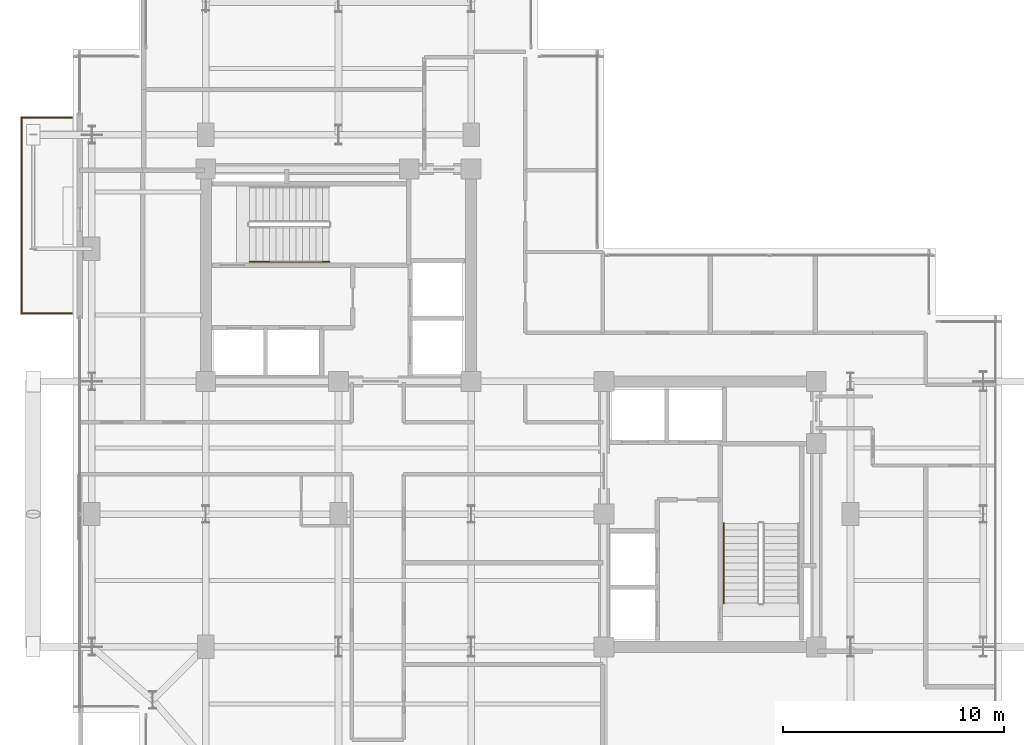
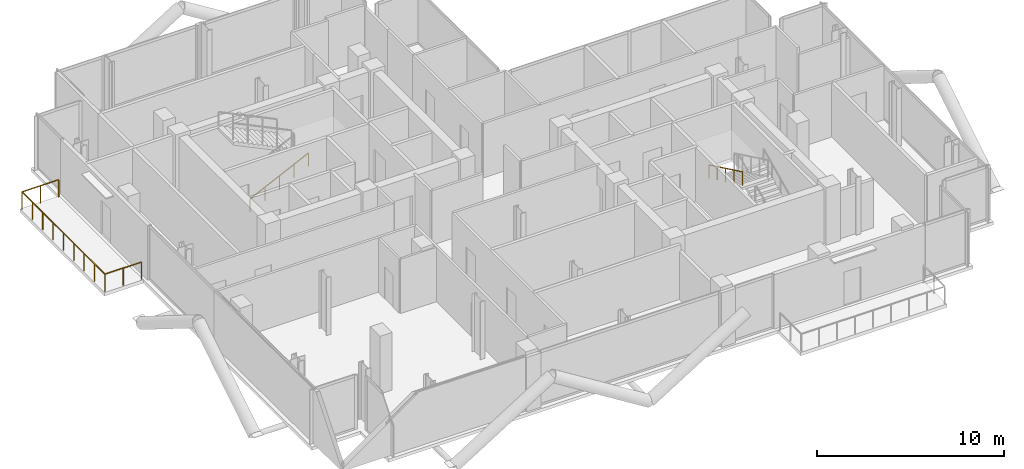
# One storey, part 23 of 25: 3 railings.
"""IFC4 building model written with IfcOpenShell, lengths in metres."""

import ifcopenshell
import ifcopenshell.guid

model = None  # the IFC model being written
_history = None  # IfcOwnerHistory: only IFC2X3 demands one
_inside = {}  # id of a spatial element -> (the spatial element, [elements in it])
_under = {}  # id of a project, library or spatial element -> (it, [spatial elements below it])
_declared = {}  # id of a project -> (the project, [libraries it declares])
_typed = {}  # id of a type object -> (the type object, [elements of that type])
_made_of = {}  # id of a material, layer set ... -> (it, [elements and type objects made of it])


def new_model(schema):
    """Start an empty IFC model of exactly this schema.

    Asked for "IFC4X3", IfcOpenShell would pick the latest addendum, in which some entities
    have other attributes; the version numbers below select the first issue.
    IFC2X3 requires an IfcOwnerHistory on every rooted entity: one is made here for all.
    """
    global model, _history
    if schema == "IFC4X3":
        model = ifcopenshell.file(schema_version=(4, 3, 0, 0))
    else:
        model = ifcopenshell.file(schema=schema)
    _inside.clear()
    _under.clear()
    _declared.clear()
    _typed.clear()
    _made_of.clear()
    _history = None
    if model.schema == "IFC2X3":
        org = make("IfcOrganization", Name="unknown")
        user = make(
            "IfcPersonAndOrganization",
            ThePerson=make("IfcPerson", FamilyName="unknown"),
            TheOrganization=org,
        )
        app = make(
            "IfcApplication",
            ApplicationDeveloper=org,
            Version="unknown",
            ApplicationFullName="unknown",
            ApplicationIdentifier="unknown",
        )
        _history = make(
            "IfcOwnerHistory",
            OwningUser=user,
            OwningApplication=app,
            ChangeAction="ADDED",
            CreationDate=0,
        )
    return model


def make(cls, **values):
    """One entity of the class cls with the attributes given. An attribute that is None is left unset."""
    return model.create_entity(
        cls, **{name: value for name, value in values.items() if value is not None}
    )


def rooted(cls, **values):
    """An entity with a GlobalId (a new one), such as an element, a storey or a relation."""
    return make(cls, GlobalId=ifcopenshell.guid.new(), OwnerHistory=_history, **values)


def si_unit(unit_type, name, prefix=None):
    """IfcSIUnit, for example si_unit("LENGTHUNIT", "METRE", prefix="MILLI")."""
    return make("IfcSIUnit", UnitType=unit_type, Prefix=prefix, Name=name)


def assignment(units):
    """IfcUnitAssignment: the units of a project."""
    return None if units is None else make("IfcUnitAssignment", Units=units)


def point(xyz):
    """IfcCartesianPoint."""
    return None if xyz is None else make("IfcCartesianPoint", Coordinates=xyz)


def direction(xyz):
    """IfcDirection."""
    return None if xyz is None else make("IfcDirection", DirectionRatios=xyz)


def frame(location, z_axis=None, x_axis=None):
    """IfcAxis2Placement3D, a coordinate frame: its origin and axes. An axis left out is left unset."""
    return make(
        "IfcAxis2Placement3D",
        Location=point(location),
        Axis=direction(z_axis),
        RefDirection=direction(x_axis),
    )


def frame_2d(location, x_axis=None):
    """IfcAxis2Placement2D, a coordinate frame in the plane: its origin and x axis."""
    return make(
        "IfcAxis2Placement2D", Location=point(location), RefDirection=direction(x_axis)
    )


def origin():
    """The frame at (0, 0, 0) with its axes left unset."""
    return frame((0.0, 0.0, 0.0))


def origin_2d():
    """The frame at (0, 0) in the plane with its x axis left unset."""
    return frame_2d((0.0, 0.0))


def place(relative_to, where):
    """IfcLocalPlacement: puts the frame where relative to a parent placement (None: the world)."""
    return make(
        "IfcLocalPlacement", PlacementRelTo=relative_to, RelativePlacement=where
    )


def context(
    kind, dimensions, precision=None, world=None, true_north=None, identifier=None
):
    """IfcGeometricRepresentationContext, for example the 3D "Model" context."""
    return make(
        "IfcGeometricRepresentationContext",
        ContextIdentifier=identifier,
        ContextType=kind,
        CoordinateSpaceDimension=dimensions,
        Precision=precision,
        WorldCoordinateSystem=world,
        TrueNorth=true_north,
    )


def subcontext(parent, identifier, kind, view, scale=None):
    """IfcGeometricRepresentationSubContext, for example "Body" below "Model"."""
    return make(
        "IfcGeometricRepresentationSubContext",
        ContextIdentifier=identifier,
        ContextType=kind,
        ParentContext=parent,
        TargetScale=scale,
        TargetView=view,
    )


def project(units=None, contexts=None):
    """IfcProject with its units and contexts."""
    return rooted(
        "IfcProject",
        Name="project",
        RepresentationContexts=contexts,
        UnitsInContext=assignment(units),
    )


def spatial(cls, under=None, at=None, **own):
    """A site, building, storey or space (cls), placed at a placement, below another one or the project."""
    s = rooted(cls, ObjectPlacement=at, **own)
    if under is not None:
        _under.setdefault(under.id(), (under, []))[1].append(s)
    return s


def profile(cls, at=None, kind="AREA", **sizes):
    """A parametric profile (cls). Its sizes go by their IFC names, for example OverallWidth=200.0."""
    return make(cls, ProfileType=kind, Position=at, **sizes)


def rectangle(**sizes):
    """IfcRectangleProfileDef."""
    return profile("IfcRectangleProfileDef", **sizes)


def extrude(swept, where, along, depth):
    """IfcExtrudedAreaSolid: the profile swept, set in the frame where, extruded along a direction by depth."""
    return make(
        "IfcExtrudedAreaSolid",
        SweptArea=swept,
        Position=where,
        ExtrudedDirection=direction(along),
        Depth=depth,
    )


def shape(context_of_items, identifier, shape_type, items):
    """IfcShapeRepresentation: the items that make up one representation, for example the "Body"."""
    return make(
        "IfcShapeRepresentation",
        ContextOfItems=context_of_items,
        RepresentationIdentifier=identifier,
        RepresentationType=shape_type,
        Items=items,
    )


def material(Name=None, Category=None):
    """IfcMaterial."""
    return make("IfcMaterial", Name=Name, Category=Category)


def made_of(thing, what):
    """Note that an element or type object is made of a material, layer set ...; save() writes the relation."""
    if what is not None:
        _made_of.setdefault(what.id(), (what, []))[1].append(thing)
    return thing


def type_object(cls, material=None, **own):
    """A type object (cls), such as IfcWallType, which elements share."""
    return made_of(rooted(cls, **own), material)


def element(
    cls,
    number,
    at=None,
    inside=None,
    cuts=None,
    type_object=None,
    material=None,
    context=None,
    identifier="Body",
    shape_type=None,
    held_by="IfcProductDefinitionShape",
    body=None,
    shapes=None,
    **own,
):
    """One element of the class cls, such as IfcWall. Its Tag is "e" and its number.

    at: its placement. inside: the storey or other place that contains it. cuts: it is an
    opening in that element (IfcRelVoidsElement). A single representation is given by context,
    identifier, shape_type and body (its items); several are given by shapes. held_by: the class
    of the entity that holds the representations. save() writes the other relations.
    """
    e = rooted(cls, Tag="e%d" % number, ObjectPlacement=at, **own)
    if body is not None:
        shapes = [shape(context, identifier, shape_type, body)]
    if shapes is not None:
        e.Representation = make(held_by, Representations=shapes)
    if inside is not None:
        _inside.setdefault(inside.id(), (inside, []))[1].append(e)
    if cuts is not None:
        rooted(
            "IfcRelVoidsElement", RelatingBuildingElement=cuts, RelatedOpeningElement=e
        )
    if type_object is not None:
        _typed.setdefault(type_object.id(), (type_object, []))[1].append(e)
    return made_of(e, material)


def aggregate(whole, parts):
    """IfcRelAggregates: a whole, such as a stair, and the parts it consists of."""
    return rooted("IfcRelAggregates", RelatingObject=whole, RelatedObjects=parts)


def save(model, path):
    """Write the relations noted so far, then the file.

    IfcRelAggregates (storeys below a building ...), IfcRelContainedInSpatialStructure (elements
    in a storey), IfcRelDefinesByType, IfcRelAssociatesMaterial and IfcRelDeclares: one each for
    every whole, place, type object, material and project.
    """
    for whole, parts in _under.values():
        aggregate(whole, parts)
    for where, things in _inside.values():
        rooted(
            "IfcRelContainedInSpatialStructure",
            RelatedElements=things,
            RelatingStructure=where,
        )
    for kind, things in _typed.values():
        rooted("IfcRelDefinesByType", RelatedObjects=things, RelatingType=kind)
    for what, things in _made_of.values():
        rooted("IfcRelAssociatesMaterial", RelatedObjects=things, RelatingMaterial=what)
    for by, libraries in _declared.values():
        rooted("IfcRelDeclares", RelatingContext=by, RelatedDefinitions=libraries)
    model.write(path)


model = new_model("IFC4")

# Units and contexts
model_context = context("Model", 3, precision=1e-05, world=origin(), true_north=direction((0.0, 1.0)))
body_context = subcontext(model_context, "Body", "Model", "MODEL_VIEW")
ifc_project = project(units=[si_unit("LENGTHUNIT", "METRE"), si_unit("AREAUNIT", "SQUARE_METRE"), si_unit("VOLUMEUNIT", "CUBIC_METRE"), si_unit("PLANEANGLEUNIT", "RADIAN"), si_unit("MASSUNIT", "GRAM", prefix="KILO"), si_unit("THERMODYNAMICTEMPERATUREUNIT", "KELVIN"), si_unit("POWERUNIT", "WATT")], contexts=[model_context])

# Site, building, storey
site_placement = place(None, origin())
site = spatial("IfcSite", under=ifc_project, at=site_placement, CompositionType="ELEMENT")
building_placement = place(site_placement, origin())
building = spatial("IfcBuilding", under=site, at=building_placement, Name="Svarakhadi Broadcast Tower", CompositionType="ELEMENT")
storey_placement = place(building_placement, frame((0.0, 0.0, 227.39990234375)))
storey = spatial("IfcBuildingStorey", under=building, at=storey_placement, Name="L56", CompositionType="ELEMENT", Elevation=227.39990234375)

# Railings
ifc_material_1 = material(Name="Laminated Structural SentryGlas Balustrade 25.5 mm", Category="glass")
railing_type_1 = type_object("IfcRailingType", Name="Guard_Balcony_GR01", PredefinedType="BALUSTRADE", material=ifc_material_1)
railing_1_placement = place(storey_placement, frame((-0.06005859375, 21.080078125, 0.0)))
element("IfcRailing", 1, at=railing_1_placement, inside=storey, type_object=railing_type_1, Name="L56 West Tree Balcony Guard GR-05", PredefinedType="BALUSTRADE", context=body_context, shape_type="SweptSolid", body=[
    extrude(rectangle(XDim=0.048095703125, YDim=0.048095703125, at=origin_2d()), frame((0.0, 0.0, 1.1259765625), z_axis=(-1.0, 0.0, 0.0), x_axis=(0.0, -1.0, 0.0)), (0.0, 0.0, 1.0), 2.260009765625),
    extrude(rectangle(XDim=0.048095703125, YDim=0.048095703125, at=origin_2d()), frame((-2.260009765625, 0.0, 1.1259765625), z_axis=(0.0, 1.0, 0.0), x_axis=(-1.0, 0.0, 0.0)), (0.0, 0.0, 1.0), 8.83984375),
    extrude(rectangle(XDim=0.048095703125, YDim=0.048095703125, at=origin_2d()), frame((-2.260009765625, 8.83984375, 1.1259765625), z_axis=(1.0, 0.0, 0.0), x_axis=(0.0, 1.0, 0.0)), (0.0, 0.0, 1.0), 2.260009765625),
    extrude(rectangle(XDim=0.0419921875, YDim=0.0419921875, at=origin_2d()), origin(), (0.0, 0.0, 1.0), 1.101806640625),
    extrude(rectangle(XDim=0.0419921875, YDim=0.0419921875, at=origin_2d()), frame((-1.1298828125, 0.0, 0.0)), (0.0, 0.0, 1.0), 1.101806640625),
    extrude(rectangle(XDim=0.0419921875, YDim=0.0419921875, at=origin_2d()), frame((-2.260009765625, 0.0, 0.0)), (0.0, 0.0, 1.0), 1.101806640625),
    extrude(rectangle(XDim=0.0419921875, YDim=0.0419921875, at=origin_2d()), frame((-2.260009765625, 1.10498046875, 0.0)), (0.0, 0.0, 1.0), 1.101806640625),
    extrude(rectangle(XDim=0.0419921875, YDim=0.0419921875, at=origin_2d()), frame((-2.260009765625, 2.2099609375, 0.0)), (0.0, 0.0, 1.0), 1.101806640625),
    extrude(rectangle(XDim=0.0419921875, YDim=0.0419921875, at=origin_2d()), frame((-2.260009765625, 3.31494140625, 0.0)), (0.0, 0.0, 1.0), 1.101806640625),
    extrude(rectangle(XDim=0.0419921875, YDim=0.0419921875, at=origin_2d()), frame((-2.260009765625, 4.419921875, 0.0)), (0.0, 0.0, 1.0), 1.101806640625),
    extrude(rectangle(XDim=0.0419921875, YDim=0.0419921875, at=origin_2d()), frame((-2.260009765625, 5.52490234375, 0.0)), (0.0, 0.0, 1.0), 1.101806640625),
    extrude(rectangle(XDim=0.0419921875, YDim=0.0419921875, at=origin_2d()), frame((-2.260009765625, 6.6298828125, 0.0)), (0.0, 0.0, 1.0), 1.101806640625),
    extrude(rectangle(XDim=0.0419921875, YDim=0.0419921875, at=origin_2d()), frame((-2.260009765625, 7.73486328125, 0.0)), (0.0, 0.0, 1.0), 1.101806640625),
    extrude(rectangle(XDim=0.0419921875, YDim=0.0419921875, at=origin_2d()), frame((-2.260009765625, 8.83984375, 0.0)), (0.0, 0.0, 1.0), 1.101806640625),
    extrude(rectangle(XDim=0.0419921875, YDim=0.0419921875, at=origin_2d()), frame((-1.1298828125, 8.83984375, 0.0)), (0.0, 0.0, 1.0), 1.101806640625),
    extrude(rectangle(XDim=0.0419921875, YDim=0.0419921875, at=origin_2d()), frame((0.0, 8.83984375, 0.0)), (0.0, 0.0, 1.0), 1.101806640625),
])
ifc_material_2 = material(Name="Anodised Bronze Aluminium AA 6063-T6", Category="aluminium")
railing_type_2 = type_object("IfcRailingType", Name="Handrail_Stair_HR01", PredefinedType="HANDRAIL", material=ifc_material_2)
railing_2_placement = place(storey_placement, frame((7.97998046875, 23.409912109375, 0.144287109375)))
element("IfcRailing", 2, at=railing_2_placement, inside=storey, type_object=railing_type_2, Name="L56 ST-01 stair handrail 1", PredefinedType="HANDRAIL", context=body_context, shape_type="SweptSolid", body=[
    extrude(rectangle(XDim=0.048095703125, YDim=0.048095703125, at=origin_2d()), frame((0.0, 0.0, 0.8759765625), z_axis=(0.901262522062, 0.0, 0.433273431364), x_axis=(0.0, 1.0, 0.0)), (0.0, 0.0, 1.0), 3.994384765625),
    extrude(rectangle(XDim=0.0419921875, YDim=0.0419921875, at=origin_2d()), origin(), (0.0, 0.0, 1.0), 0.851806640625),
    extrude(rectangle(XDim=0.0419921875, YDim=0.0419921875, at=origin_2d()), frame((0.89990234375, 0.0, 0.4326171875)), (0.0, 0.0, 1.0), 0.851806640625),
    extrude(rectangle(XDim=0.0419921875, YDim=0.0419921875, at=origin_2d()), frame((1.800048828125, 0.0, 0.865234375)), (0.0, 0.0, 1.0), 0.851806640625),
    extrude(rectangle(XDim=0.0419921875, YDim=0.0419921875, at=origin_2d()), frame((2.7001953125, 0.0, 1.298095703125)), (0.0, 0.0, 1.0), 0.851806640625),
    extrude(rectangle(XDim=0.0419921875, YDim=0.0419921875, at=origin_2d()), frame((3.60009765625, 0.0, 1.730712890625)), (0.0, 0.0, 1.0), 0.851806640625),
])
railing_3_placement = place(storey_placement, frame((29.409912109375, 11.580078125, 2.019287109375)))
element("IfcRailing", 3, at=railing_3_placement, inside=storey, type_object=railing_type_2, Name="L56 ST-02 stair handrail 2", PredefinedType="HANDRAIL", context=body_context, shape_type="SweptSolid", body=[
    extrude(rectangle(XDim=0.048095703125, YDim=0.048095703125, at=origin_2d()), frame((0.0, 0.0, 0.8759765625), z_axis=(0.0, -0.901262522062, 0.433273431364), x_axis=(1.0, 0.0, 0.0)), (0.0, 0.0, 1.0), 3.994384765625),
    extrude(rectangle(XDim=0.0419921875, YDim=0.0419921875, at=origin_2d()), origin(), (0.0, 0.0, 1.0), 0.851806640625),
    extrude(rectangle(XDim=0.0419921875, YDim=0.0419921875, at=origin_2d()), frame((0.0, -0.89990234375, 0.4326171875)), (0.0, 0.0, 1.0), 0.851806640625),
    extrude(rectangle(XDim=0.0419921875, YDim=0.0419921875, at=origin_2d()), frame((0.0, -1.800048828125, 0.865234375)), (0.0, 0.0, 1.0), 0.851806640625),
    extrude(rectangle(XDim=0.0419921875, YDim=0.0419921875, at=origin_2d()), frame((0.0, -2.7001953125, 1.298095703125)), (0.0, 0.0, 1.0), 0.851806640625),
    extrude(rectangle(XDim=0.0419921875, YDim=0.0419921875, at=origin_2d()), frame((0.0, -3.60009765625, 1.730712890625)), (0.0, 0.0, 1.0), 0.851806640625),
])

save(model, "model.ifc")
